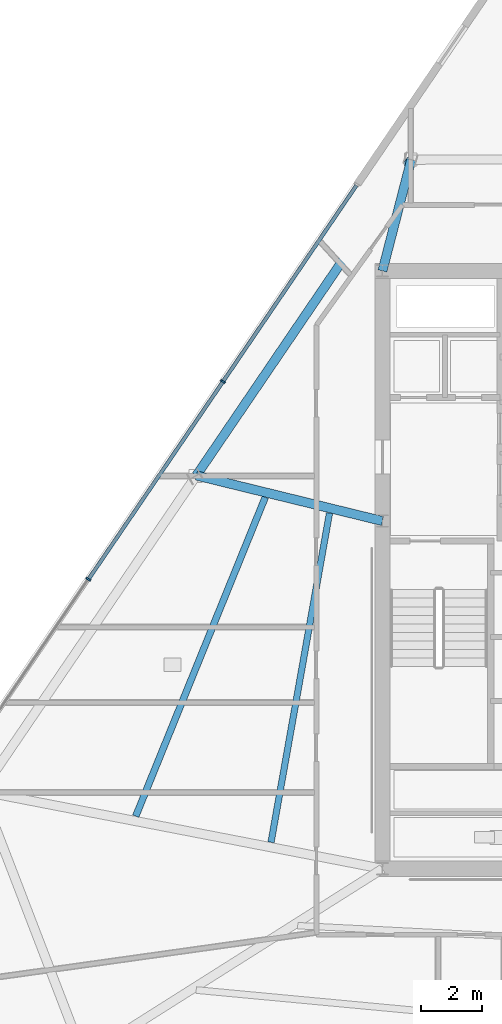
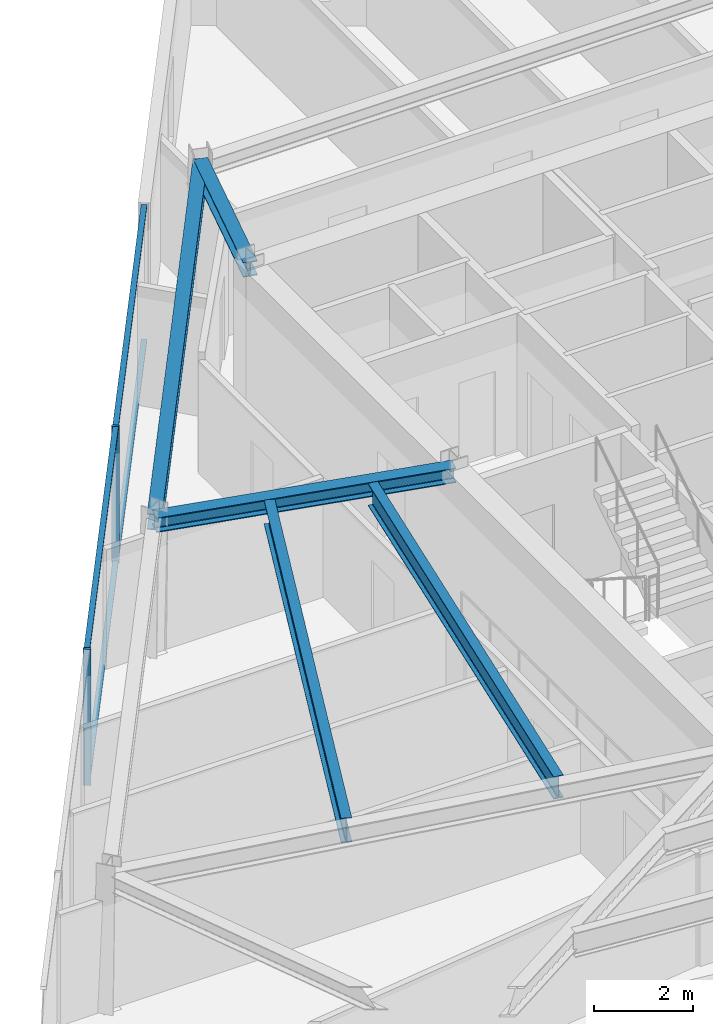
# One storey, part 4 of 15: 6 members, 5 beams, 1 element without a shape of its own.
"""IFC4 building model written with IfcOpenShell, lengths in metres."""

from ifc_helpers import new_model, si_unit, direction, frame, origin, origin_2d, place, context, subcontext, project, spatial, rectangle, i_section, extrude, material, material_profile, profile_set, type_object, element, aggregate, save


model = new_model("IFC4")

# Units and contexts
model_context = context("Model", 3, precision=1e-05, world=origin(), true_north=direction((0.0, 1.0)))
body_context = subcontext(model_context, "Body", "Model", "MODEL_VIEW")
ifc_project = project(units=[si_unit("LENGTHUNIT", "METRE"), si_unit("AREAUNIT", "SQUARE_METRE"), si_unit("VOLUMEUNIT", "CUBIC_METRE"), si_unit("PLANEANGLEUNIT", "RADIAN"), si_unit("MASSUNIT", "GRAM", prefix="KILO")], contexts=[model_context])

# Site, building, storey
site_placement = place(None, origin())
site = spatial("IfcSite", under=ifc_project, at=site_placement, CompositionType="ELEMENT")
building_placement = place(site_placement, origin())
building = spatial("IfcBuilding", under=site, at=building_placement, Name="Savorim Split Tower", CompositionType="ELEMENT")
storey_placement = place(building_placement, frame((0.0, 0.0, 167.39990234375)))
storey = spatial("IfcBuildingStorey", under=building, at=storey_placement, Name="L44", CompositionType="ELEMENT", Elevation=167.39990234375)

# Beams
ifc_material_1 = material(Name="Steel S355", Category="steel")
ifc_material_profile_1 = material_profile(ifc_material_1, i_section(OverallWidth=0.2099609375, OverallDepth=0.550048828125, WebThickness=0.010986328125, FlangeThickness=0.01708984375, FilletRadius=0.02392578125, at=origin_2d()), Name="IPE 550")
ifc_profile_set_1 = profile_set([ifc_material_profile_1], Name="Steel S355")
beam_type_1 = type_object("IfcBeamType", Name="BM-JST-IPE550", PredefinedType="JOIST", material=ifc_profile_set_1)
beam_1_placement = place(storey_placement, frame((-9.435546875, 2.260498046875, 3.0751953125), z_axis=(-0.174792930857, -0.984605215974, 0.0), x_axis=(0.984605215974, -0.174792930857, 0.0)))
element("IfcBeam", 1, at=beam_1_placement, inside=storey, type_object=beam_type_1, Name="L44 Secondary Floor Joist JS-11", PredefinedType="JOIST", context=body_context, shape_type="SweptSolid", body=[
    extrude(i_section(OverallWidth=0.2099609375, OverallDepth=0.550048828125, WebThickness=0.010986328125, FlangeThickness=0.01708984375, FilletRadius=0.02392578125, at=origin_2d()), origin(), (0.0, 0.0, 1.0), 10.960205078125),
])
ifc_material_profile_2 = material_profile(ifc_material_1, i_section(OverallWidth=0.219970703125, OverallDepth=0.60009765625, WebThickness=0.011962890625, FlangeThickness=0.01904296875, FilletRadius=0.02392578125, at=origin_2d()), Name="IPE 600")
ifc_profile_set_2 = profile_set([ifc_material_profile_2], Name="Steel S355")
beam_type_2 = type_object("IfcBeamType", Name="BM-JST-IPE600", PredefinedType="JOIST", material=ifc_profile_set_2)
beam_2_placement = place(storey_placement, frame((-11.541259765625, 2.77734375, 3.050048828125), z_axis=(-0.376306237221, -0.926495340425, 0.0), x_axis=(0.926495340425, -0.376306237221, 0.0)))
element("IfcBeam", 2, at=beam_2_placement, inside=storey, type_object=beam_type_2, Name="L44 Secondary Floor Joist JS-10", PredefinedType="JOIST", context=body_context, shape_type="SweptSolid", body=[
    extrude(i_section(OverallWidth=0.219970703125, OverallDepth=0.60009765625, WebThickness=0.011962890625, FlangeThickness=0.01904296875, FilletRadius=0.02392578125, at=origin_2d()), origin(), (0.0, 0.0, 1.0), 11.282958984375),
])
ifc_material_profile_3 = material_profile(ifc_material_1, i_section(OverallWidth=0.300048828125, OverallDepth=0.360107421875, WebThickness=0.012451171875, FlangeThickness=0.0224609375, FilletRadius=0.027099609375, at=origin_2d()), Name="HEB 360")
ifc_profile_set_3 = profile_set([ifc_material_profile_3], Name="Steel S355")
beam_type_3 = type_object("IfcBeamType", Name="BM-PRI-HEB360", PredefinedType="BEAM", material=ifc_profile_set_3)
beam_3_placement = place(storey_placement, frame((-6.756591796875, 13.844482421875, 3.170166015625), z_axis=(-0.250584036979, -0.968094850937, 0.0), x_axis=(0.968094850937, -0.250584036979, 0.0)))
element("IfcBeam", 3, at=beam_3_placement, inside=storey, type_object=beam_type_3, Name="L44 Primary Floor Girder RG-08", PredefinedType="BEAM", context=body_context, shape_type="SweptSolid", body=[
    extrude(i_section(OverallWidth=0.300048828125, OverallDepth=0.360107421875, WebThickness=0.012451171875, FlangeThickness=0.0224609375, FilletRadius=0.027099609375, at=origin_2d()), origin(), (0.0, 0.0, 1.0), 3.7646484375),
])
beam_4_placement = place(storey_placement, frame((-13.798583984375, 3.492919921875, 3.170166015625), z_axis=(0.971320224953, -0.237775147141, 0.0), x_axis=(0.237775147141, 0.971320224953, 0.0)))
element("IfcBeam", 4, at=beam_4_placement, inside=storey, type_object=beam_type_3, Name="L44 Primary Floor Girder RG-09", PredefinedType="BEAM", context=body_context, shape_type="SweptSolid", body=[
    extrude(i_section(OverallWidth=0.300048828125, OverallDepth=0.360107421875, WebThickness=0.012451171875, FlangeThickness=0.0224609375, FilletRadius=0.027099609375, at=origin_2d()), origin(), (0.0, 0.0, 1.0), 6.27880859375),
])
ifc_material_profile_4 = material_profile(ifc_material_1, i_section(OverallWidth=0.300048828125, OverallDepth=0.389892578125, WebThickness=0.010986328125, FlangeThickness=0.01904296875, FilletRadius=0.027099609375, at=origin_2d()), Name="HEA 400")
ifc_profile_set_4 = profile_set([ifc_material_profile_4], Name="Steel S355")
beam_type_4 = type_object("IfcBeamType", Name="BM-SPN-HEA400", PredefinedType="SPANDREL", material=ifc_profile_set_4)
beam_5_placement = place(storey_placement, frame((-6.756591796875, 13.844482421875, 3.155029296875), z_axis=(-0.562470025242, -0.826817676822, 0.0), x_axis=(0.826817676822, -0.562470025242, 0.0)))
element("IfcBeam", 5, at=beam_5_placement, inside=storey, type_object=beam_type_4, Name="L44 Perimeter Spandrel Beam 8", PredefinedType="SPANDREL", context=body_context, shape_type="SweptSolid", body=[
    extrude(i_section(OverallWidth=0.300048828125, OverallDepth=0.389892578125, WebThickness=0.010986328125, FlangeThickness=0.01904296875, FilletRadius=0.027099609375, at=origin_2d()), origin(), (0.0, 0.0, 1.0), 12.519775390625),
])

# Curtain wall, members
ifc_material_2 = material(Name="Dark Ceramic-Fritted Insulated Glass", Category="glass")
curtain_wall_type = type_object("IfcCurtainWallType", Name="CW-TWR-FRIT-B", PredefinedType="NOTDEFINED", material=ifc_material_2)
curtain_wall_placement = place(storey_placement, origin())
curtain_wall = element("IfcCurtainWall", 6, at=curtain_wall_placement, inside=storey, type_object=curtain_wall_type, Name="L44 Curtain Wall CW-L44-WEST", PredefinedType="NOTDEFINED")
ifc_material_3 = material(Name="Charcoal Anodised Aluminium", Category="aluminium")
ifc_material_profile_5 = material_profile(ifc_material_3, rectangle(XDim=0.159912109375, YDim=0.06005859375, at=origin_2d()), Name="ALU-M 160x60")
ifc_profile_set_5 = profile_set([ifc_material_profile_5], Name="Charcoal Anodised Aluminium")
member_type_1 = type_object("IfcMemberType", Name="CWM-160x60", PredefinedType="MULLION", material=ifc_profile_set_5)
member_1_placement = place(storey_placement, frame((-12.926513671875, 6.571533203125, 0.0), z_axis=(0.0, 0.0, 1.0), x_axis=(0.826819248854, -0.562467714384, 0.0)))
member_1 = element("IfcMember", 7, at=member_1_placement, type_object=member_type_1, Name="CW-03 mullion 2", PredefinedType="MULLION", context=body_context, shape_type="SweptSolid", body=[
    extrude(rectangle(XDim=0.159912109375, YDim=0.06005859375, at=origin_2d()), origin(), (0.0, 0.0, 1.0), 3.35009765625),
])
member_2_placement = place(storey_placement, frame((-17.336181640625, 0.089599609375, 0.0), z_axis=(0.0, 0.0, 1.0), x_axis=(0.826819248854, -0.562467714384, 0.0)))
member_2 = element("IfcMember", 8, at=member_2_placement, type_object=member_type_1, Name="CW-03 mullion 3", PredefinedType="MULLION", context=body_context, shape_type="SweptSolid", body=[
    extrude(rectangle(XDim=0.159912109375, YDim=0.06005859375, at=origin_2d()), origin(), (0.0, 0.0, 1.0), 3.35009765625),
])
ifc_material_profile_6 = material_profile(ifc_material_3, rectangle(XDim=0.1201171875, YDim=0.050048828125, at=origin_2d()), Name="ALU-T 120x50")
ifc_profile_set_6 = profile_set([ifc_material_profile_6], Name="Charcoal Anodised Aluminium")
member_type_2 = type_object("IfcMemberType", Name="CWT-120x50", PredefinedType="USERDEFINED", material=ifc_profile_set_6)
member_3_placement = place(storey_placement, frame((-8.55078125, 13.00390625, 0.025146484375), z_axis=(-0.56245477499, -0.826828051103, 0.0), x_axis=(0.826828051103, -0.56245477499, 0.0)))
member_3 = element("IfcMember", 9, at=member_3_placement, type_object=member_type_2, Name="CW-03 transom 1.1", ObjectType="TRANSOM", PredefinedType="USERDEFINED", context=body_context, shape_type="SweptSolid", body=[
    extrude(rectangle(XDim=0.1201171875, YDim=0.050048828125, at=origin_2d()), origin(), (0.0, 0.0, 1.0), 7.749755859375),
])
member_4_placement = place(storey_placement, frame((-8.55078125, 13.00390625, 3.3251953125), z_axis=(-0.56245477499, -0.826828051103, 0.0), x_axis=(0.826828051103, -0.56245477499, 0.0)))
member_4 = element("IfcMember", 10, at=member_4_placement, type_object=member_type_2, Name="CW-03 transom 1.2", ObjectType="TRANSOM", PredefinedType="USERDEFINED", context=body_context, shape_type="SweptSolid", body=[
    extrude(rectangle(XDim=0.1201171875, YDim=0.050048828125, at=origin_2d()), origin(), (0.0, 0.0, 1.0), 7.749755859375),
])
member_5_placement = place(storey_placement, frame((-12.943359375, 6.546630859375, 0.025146484375), z_axis=(-0.562497133678, -0.826799234763, 0.0), x_axis=(0.826799234763, -0.562497133678, 0.0)))
member_5 = element("IfcMember", 11, at=member_5_placement, type_object=member_type_2, Name="CW-03 transom 2.1", ObjectType="TRANSOM", PredefinedType="USERDEFINED", context=body_context, shape_type="SweptSolid", body=[
    extrude(rectangle(XDim=0.1201171875, YDim=0.050048828125, at=origin_2d()), origin(), (0.0, 0.0, 1.0), 7.779541015625),
])
member_6_placement = place(storey_placement, frame((-12.943359375, 6.546630859375, 3.3251953125), z_axis=(-0.562497133678, -0.826799234763, 0.0), x_axis=(0.826799234763, -0.562497133678, 0.0)))
member_6 = element("IfcMember", 12, at=member_6_placement, type_object=member_type_2, Name="CW-03 transom 2.2", ObjectType="TRANSOM", PredefinedType="USERDEFINED", context=body_context, shape_type="SweptSolid", body=[
    extrude(rectangle(XDim=0.1201171875, YDim=0.050048828125, at=origin_2d()), origin(), (0.0, 0.0, 1.0), 7.779541015625),
])
aggregate(curtain_wall, [member_1, member_2, member_3, member_4, member_5, member_6])

save(model, "model.ifc")
